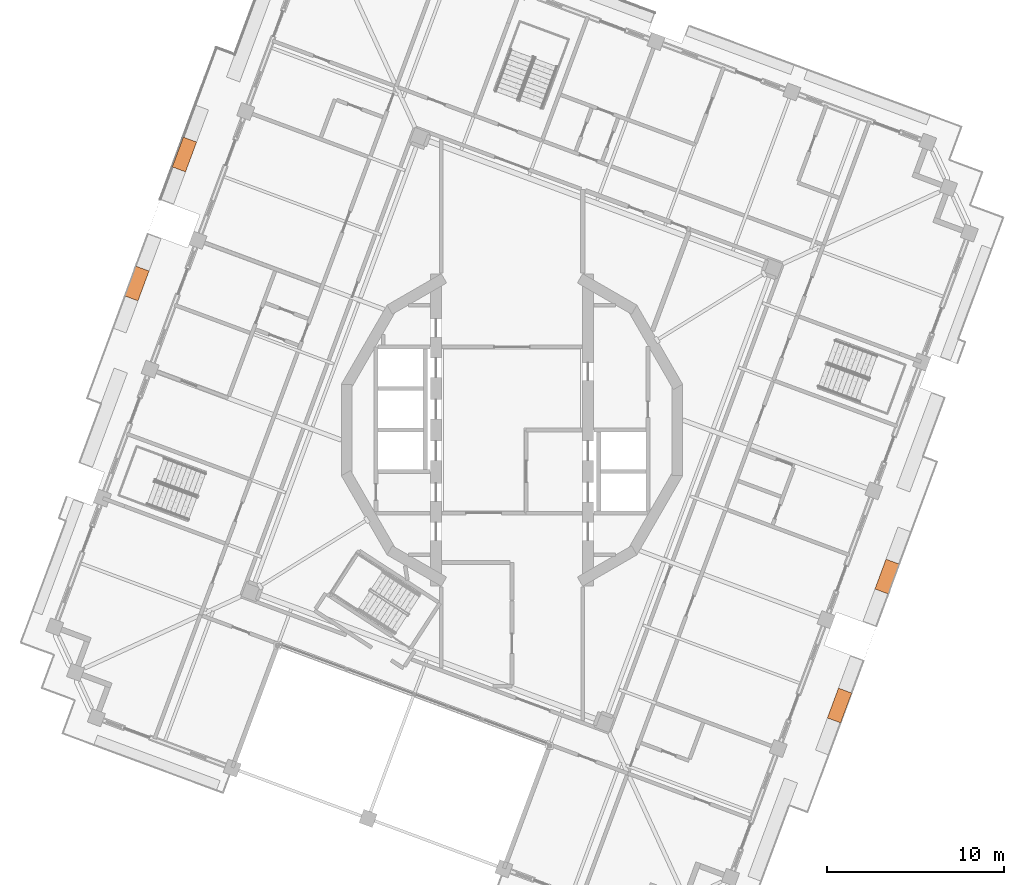
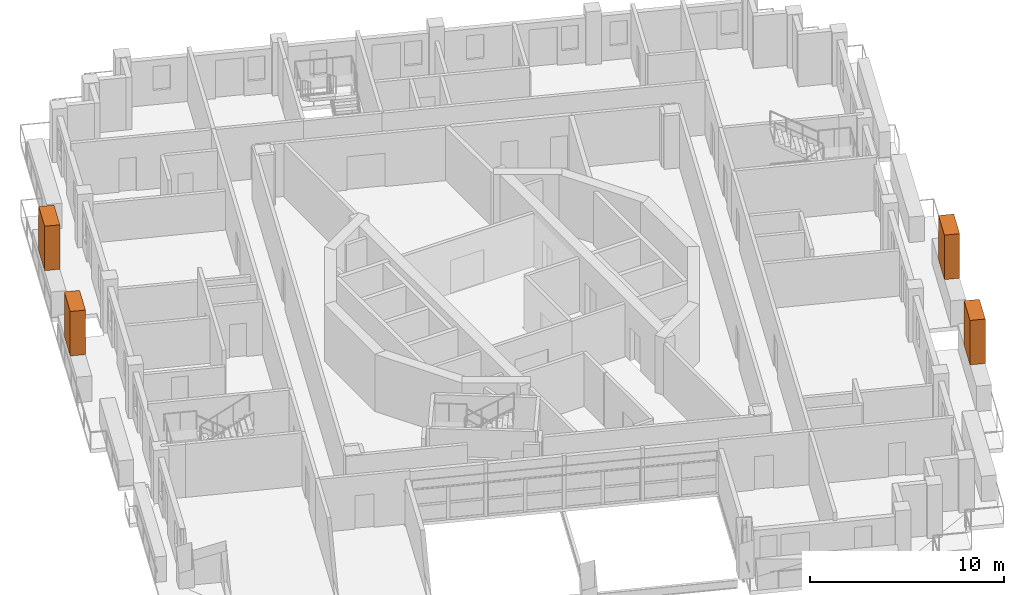
# One storey, part 19 of 19: 4 proxies.
"""IFC4 building model written with IfcOpenShell, lengths in metres."""

import ifcopenshell
import ifcopenshell.guid

model = None  # the IFC model being written
_history = None  # IfcOwnerHistory: only IFC2X3 demands one
_inside = {}  # id of a spatial element -> (the spatial element, [elements in it])
_under = {}  # id of a project, library or spatial element -> (it, [spatial elements below it])
_declared = {}  # id of a project -> (the project, [libraries it declares])
_typed = {}  # id of a type object -> (the type object, [elements of that type])
_made_of = {}  # id of a material, layer set ... -> (it, [elements and type objects made of it])


def new_model(schema):
    """Start an empty IFC model of exactly this schema.

    Asked for "IFC4X3", IfcOpenShell would pick the latest addendum, in which some entities
    have other attributes; the version numbers below select the first issue.
    IFC2X3 requires an IfcOwnerHistory on every rooted entity: one is made here for all.
    """
    global model, _history
    if schema == "IFC4X3":
        model = ifcopenshell.file(schema_version=(4, 3, 0, 0))
    else:
        model = ifcopenshell.file(schema=schema)
    _inside.clear()
    _under.clear()
    _declared.clear()
    _typed.clear()
    _made_of.clear()
    _history = None
    if model.schema == "IFC2X3":
        org = make("IfcOrganization", Name="unknown")
        user = make(
            "IfcPersonAndOrganization",
            ThePerson=make("IfcPerson", FamilyName="unknown"),
            TheOrganization=org,
        )
        app = make(
            "IfcApplication",
            ApplicationDeveloper=org,
            Version="unknown",
            ApplicationFullName="unknown",
            ApplicationIdentifier="unknown",
        )
        _history = make(
            "IfcOwnerHistory",
            OwningUser=user,
            OwningApplication=app,
            ChangeAction="ADDED",
            CreationDate=0,
        )
    return model


def make(cls, **values):
    """One entity of the class cls with the attributes given. An attribute that is None is left unset."""
    return model.create_entity(
        cls, **{name: value for name, value in values.items() if value is not None}
    )


def rooted(cls, **values):
    """An entity with a GlobalId (a new one), such as an element, a storey or a relation."""
    return make(cls, GlobalId=ifcopenshell.guid.new(), OwnerHistory=_history, **values)


def si_unit(unit_type, name, prefix=None):
    """IfcSIUnit, for example si_unit("LENGTHUNIT", "METRE", prefix="MILLI")."""
    return make("IfcSIUnit", UnitType=unit_type, Prefix=prefix, Name=name)


def assignment(units):
    """IfcUnitAssignment: the units of a project."""
    return None if units is None else make("IfcUnitAssignment", Units=units)


def point(xyz):
    """IfcCartesianPoint."""
    return None if xyz is None else make("IfcCartesianPoint", Coordinates=xyz)


def direction(xyz):
    """IfcDirection."""
    return None if xyz is None else make("IfcDirection", DirectionRatios=xyz)


def frame(location, z_axis=None, x_axis=None):
    """IfcAxis2Placement3D, a coordinate frame: its origin and axes. An axis left out is left unset."""
    return make(
        "IfcAxis2Placement3D",
        Location=point(location),
        Axis=direction(z_axis),
        RefDirection=direction(x_axis),
    )


def frame_2d(location, x_axis=None):
    """IfcAxis2Placement2D, a coordinate frame in the plane: its origin and x axis."""
    return make(
        "IfcAxis2Placement2D", Location=point(location), RefDirection=direction(x_axis)
    )


def origin():
    """The frame at (0, 0, 0) with its axes left unset."""
    return frame((0.0, 0.0, 0.0))


def origin_2d():
    """The frame at (0, 0) in the plane with its x axis left unset."""
    return frame_2d((0.0, 0.0))


def place(relative_to, where):
    """IfcLocalPlacement: puts the frame where relative to a parent placement (None: the world)."""
    return make(
        "IfcLocalPlacement", PlacementRelTo=relative_to, RelativePlacement=where
    )


def context(
    kind, dimensions, precision=None, world=None, true_north=None, identifier=None
):
    """IfcGeometricRepresentationContext, for example the 3D "Model" context."""
    return make(
        "IfcGeometricRepresentationContext",
        ContextIdentifier=identifier,
        ContextType=kind,
        CoordinateSpaceDimension=dimensions,
        Precision=precision,
        WorldCoordinateSystem=world,
        TrueNorth=true_north,
    )


def subcontext(parent, identifier, kind, view, scale=None):
    """IfcGeometricRepresentationSubContext, for example "Body" below "Model"."""
    return make(
        "IfcGeometricRepresentationSubContext",
        ContextIdentifier=identifier,
        ContextType=kind,
        ParentContext=parent,
        TargetScale=scale,
        TargetView=view,
    )


def project(units=None, contexts=None):
    """IfcProject with its units and contexts."""
    return rooted(
        "IfcProject",
        Name="project",
        RepresentationContexts=contexts,
        UnitsInContext=assignment(units),
    )


def spatial(cls, under=None, at=None, **own):
    """A site, building, storey or space (cls), placed at a placement, below another one or the project."""
    s = rooted(cls, ObjectPlacement=at, **own)
    if under is not None:
        _under.setdefault(under.id(), (under, []))[1].append(s)
    return s


def profile(cls, at=None, kind="AREA", **sizes):
    """A parametric profile (cls). Its sizes go by their IFC names, for example OverallWidth=200.0."""
    return make(cls, ProfileType=kind, Position=at, **sizes)


def rectangle(**sizes):
    """IfcRectangleProfileDef."""
    return profile("IfcRectangleProfileDef", **sizes)


def extrude(swept, where, along, depth):
    """IfcExtrudedAreaSolid: the profile swept, set in the frame where, extruded along a direction by depth."""
    return make(
        "IfcExtrudedAreaSolid",
        SweptArea=swept,
        Position=where,
        ExtrudedDirection=direction(along),
        Depth=depth,
    )


def shape(context_of_items, identifier, shape_type, items):
    """IfcShapeRepresentation: the items that make up one representation, for example the "Body"."""
    return make(
        "IfcShapeRepresentation",
        ContextOfItems=context_of_items,
        RepresentationIdentifier=identifier,
        RepresentationType=shape_type,
        Items=items,
    )


def made_of(thing, what):
    """Note that an element or type object is made of a material, layer set ...; save() writes the relation."""
    if what is not None:
        _made_of.setdefault(what.id(), (what, []))[1].append(thing)
    return thing


def element(
    cls,
    number,
    at=None,
    inside=None,
    cuts=None,
    type_object=None,
    material=None,
    context=None,
    identifier="Body",
    shape_type=None,
    held_by="IfcProductDefinitionShape",
    body=None,
    shapes=None,
    **own,
):
    """One element of the class cls, such as IfcWall. Its Tag is "e" and its number.

    at: its placement. inside: the storey or other place that contains it. cuts: it is an
    opening in that element (IfcRelVoidsElement). A single representation is given by context,
    identifier, shape_type and body (its items); several are given by shapes. held_by: the class
    of the entity that holds the representations. save() writes the other relations.
    """
    e = rooted(cls, Tag="e%d" % number, ObjectPlacement=at, **own)
    if body is not None:
        shapes = [shape(context, identifier, shape_type, body)]
    if shapes is not None:
        e.Representation = make(held_by, Representations=shapes)
    if inside is not None:
        _inside.setdefault(inside.id(), (inside, []))[1].append(e)
    if cuts is not None:
        rooted(
            "IfcRelVoidsElement", RelatingBuildingElement=cuts, RelatedOpeningElement=e
        )
    if type_object is not None:
        _typed.setdefault(type_object.id(), (type_object, []))[1].append(e)
    return made_of(e, material)


def aggregate(whole, parts):
    """IfcRelAggregates: a whole, such as a stair, and the parts it consists of."""
    return rooted("IfcRelAggregates", RelatingObject=whole, RelatedObjects=parts)


def save(model, path):
    """Write the relations noted so far, then the file.

    IfcRelAggregates (storeys below a building ...), IfcRelContainedInSpatialStructure (elements
    in a storey), IfcRelDefinesByType, IfcRelAssociatesMaterial and IfcRelDeclares: one each for
    every whole, place, type object, material and project.
    """
    for whole, parts in _under.values():
        aggregate(whole, parts)
    for where, things in _inside.values():
        rooted(
            "IfcRelContainedInSpatialStructure",
            RelatedElements=things,
            RelatingStructure=where,
        )
    for kind, things in _typed.values():
        rooted("IfcRelDefinesByType", RelatedObjects=things, RelatingType=kind)
    for what, things in _made_of.values():
        rooted("IfcRelAssociatesMaterial", RelatedObjects=things, RelatingMaterial=what)
    for by, libraries in _declared.values():
        rooted("IfcRelDeclares", RelatingContext=by, RelatedDefinitions=libraries)
    model.write(path)


model = new_model("IFC4")

# Units and contexts
model_context = context("Model", 3, precision=1e-05, world=origin(), true_north=direction((0.0, 1.0)))
body_context = subcontext(model_context, "Body", "Model", "MODEL_VIEW")
ifc_project = project(units=[si_unit("LENGTHUNIT", "METRE"), si_unit("AREAUNIT", "SQUARE_METRE"), si_unit("VOLUMEUNIT", "CUBIC_METRE"), si_unit("PLANEANGLEUNIT", "RADIAN"), si_unit("MASSUNIT", "GRAM", prefix="KILO")], contexts=[model_context])

# Site, building, storey
site_placement = place(None, origin())
site = spatial("IfcSite", under=ifc_project, at=site_placement, CompositionType="ELEMENT")
building_placement = place(site_placement, origin())
building = spatial("IfcBuilding", under=site, at=building_placement, Name="Cantera Rosa Tower", CompositionType="ELEMENT")
storey_placement = place(building_placement, frame((0.0, 0.0, 324.10009765625)))
storey = spatial("IfcBuildingStorey", under=building, at=storey_placement, Name="L72", CompositionType="ELEMENT", Elevation=324.10009765625)

# Proxies
for number, where, z_axis, x_axis, name in (
    (1, (-18.54248046875, 15.594970703125, 1.60009765625), (0.0, 0.0, 1.0), (-0.347481234489, -0.937686936924, 0.0), "TREE L72-06"),
    (2, (-21.23388671875, 8.295166015625, 1.60009765625), (0.0, 0.0, 1.0), (-0.347481234489, -0.937686936924, 0.0), "TREE L72-07"),
    (3, (18.54248046875, -15.594970703125, 1.60009765625), (0.0, 0.0, 1.0), (0.347481234489, 0.937686936924, 0.0), "TREE L72-15"),
    (4, (21.23388671875, -8.295166015625, 1.60009765625), (0.0, 0.0, 1.0), (0.347481234489, 0.937686936924, 0.0), "TREE L72-16"),
):
    element("IfcBuildingElementProxy", number, at=place(storey_placement, frame(where, z_axis=z_axis, x_axis=x_axis)), inside=storey, Name=name, ObjectType="TREE", PredefinedType="USERDEFINED", context=body_context, shape_type="SweptSolid", body=[
        extrude(rectangle(XDim=1.800048828125, YDim=0.800048828125, at=origin_2d()), origin(), (0.0, 0.0, 1.0), 2.800048828125),
    ])

save(model, "model.ifc")
